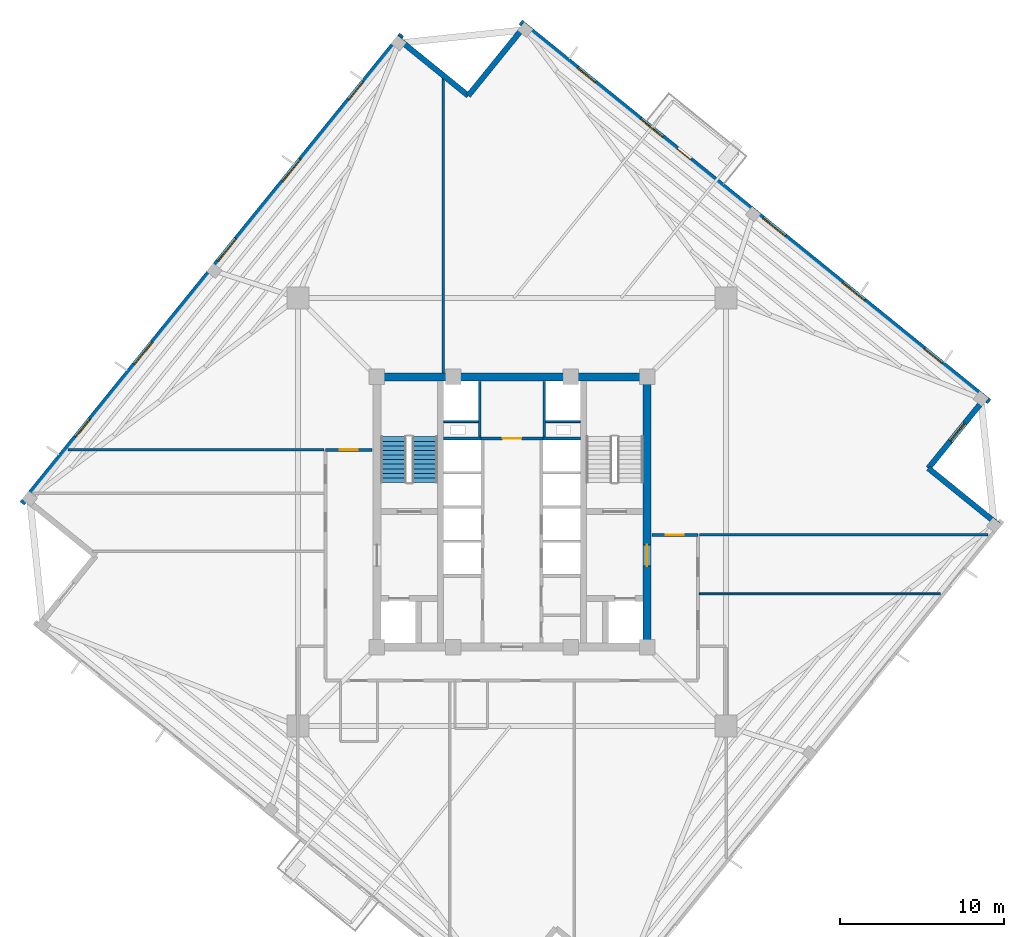
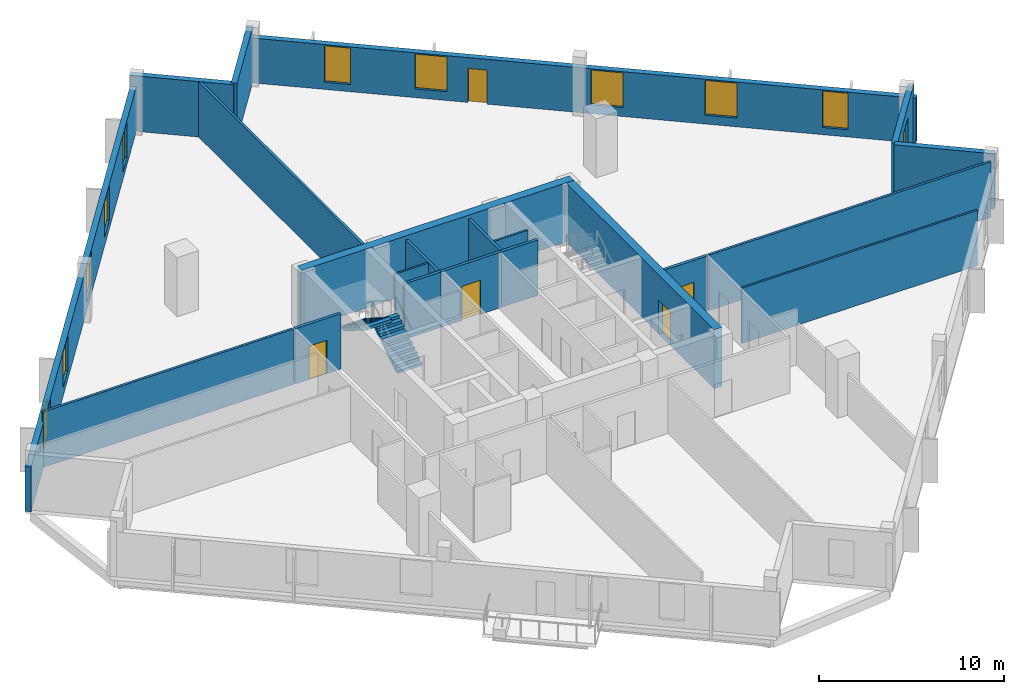
# One storey, part 5 of 10: 21 walls, 11 windows, 5 doors, 2 stair flights, 16 openings, 1 element without a shape of its own.
"""IFC4 building model written with IfcOpenShell, lengths in metres."""

from ifc_helpers import new_model, si_unit, direction, frame, frame_2d, origin, place, context, subcontext, project, spatial, polyline, rectangle, outline, extrude, source, transform, mapped, material, layer, layer_set, type_object, element, fill, aggregate, save


model = new_model("IFC4")

# Units and contexts
model_context = context("Model", 3, precision=1e-05, world=origin(), true_north=direction((0.0, 1.0)))
body_context = subcontext(model_context, "Body", "Model", "MODEL_VIEW")
ifc_project = project(units=[si_unit("LENGTHUNIT", "METRE"), si_unit("AREAUNIT", "SQUARE_METRE"), si_unit("VOLUMEUNIT", "CUBIC_METRE"), si_unit("PLANEANGLEUNIT", "RADIAN"), si_unit("MASSUNIT", "GRAM", prefix="KILO"), si_unit("THERMODYNAMICTEMPERATUREUNIT", "KELVIN")], contexts=[model_context])

# Site, building, storey
site_placement = place(None, origin())
site = spatial("IfcSite", under=ifc_project, at=site_placement, CompositionType="ELEMENT")
building_placement = place(site_placement, origin())
building = spatial("IfcBuilding", under=site, at=building_placement, Name="Kosmvard Interchange Tower", CompositionType="ELEMENT")
storey_placement = place(building_placement, frame((0.0, 0.0, 217.300048828125)))
storey = spatial("IfcBuildingStorey", under=building, at=storey_placement, Name="L52", CompositionType="ELEMENT", Elevation=217.300048828125)

# Walls
ifc_material_1 = material(Name="Acoustic gypsum partition system")
ifc_layer_1 = layer(ifc_material_1, 0.14990234375, Name="Acoustic gypsum partition system")
ifc_layer_set_1 = layer_set([ifc_layer_1], Name="Acoustic gypsum partition system")
wall_type_1 = type_object("IfcWallType", Name="Acoustic Suite & Meeting Partition 150", PredefinedType="PARTITIONING", material=ifc_layer_set_1)
wall_1_placement = place(storey_placement, frame((-4.199951171875, 8.5048828125, 0.0), z_axis=(0.0, 0.0, 1.0), x_axis=(0.0, 1.0, 0.0)))
element("IfcWall", 1, at=wall_1_placement, inside=storey, type_object=wall_type_1, Name="L52 Room Partition 01.1", PredefinedType="PARTITIONING", context=body_context, shape_type="SweptSolid", body=[
    extrude(rectangle(XDim=18.025634765625, YDim=0.14990234375, at=frame_2d((9.0126953125, 0.0))), origin(), (0.0, 0.0, 1.0), 3.659912109375),
])
wall_2_placement = place(storey_placement, frame((-27.12939453125, 3.800048828125, 0.0), z_axis=(0.0, 0.0, 1.0), x_axis=(1.0, 0.0, 0.0)))
element("IfcWall", 2, at=wall_2_placement, inside=storey, type_object=wall_type_1, Name="L52 Room Partition 03.1", PredefinedType="PARTITIONING", context=body_context, shape_type="SweptSolid", body=[
    extrude(rectangle(XDim=15.63427734375, YDim=0.14990234375, at=frame_2d((7.817138671875, 0.0))), origin(), (0.0, 0.0, 1.0), 3.659912109375),
])
wall_3_placement = place(storey_placement, frame((11.445068359375, -1.39990234375, 0.0), z_axis=(0.0, 0.0, 1.0), x_axis=(1.0, 0.0, 0.0)))
element("IfcWall", 3, at=wall_3_placement, inside=storey, type_object=wall_type_1, Name="L52 Room Partition 04.1", PredefinedType="PARTITIONING", context=body_context, shape_type="SweptSolid", body=[
    extrude(rectangle(XDim=17.6279296875, YDim=0.14990234375, at=frame_2d((8.81396484375, 0.0))), origin(), (0.0, 0.0, 1.0), 3.659912109375),
])
ifc_material_2 = material(Name="Fire-rated gypsum partition system")
ifc_layer_2 = layer(ifc_material_2, 0.159912109375, Name="Fire-rated gypsum partition system")
ifc_layer_set_2 = layer_set([ifc_layer_2], Name="Fire-rated gypsum partition system")
wall_type_2 = type_object("IfcWallType", Name="Core Compartment & Shuttle Lobby Partition 160", PredefinedType="PARTITIONING", material=ifc_layer_set_2)
for number, where, z_axis, x_axis, name in (
    (4, (-1.9599609375, 4.580078125, 0.0), (0.0, 0.0, 1.0), (0.0, 1.0, 0.0), "L52 North Core West Wall"),
    (5, (1.9599609375, 4.580078125, 0.0), (0.0, 0.0, 1.0), (0.0, 1.0, 0.0), "L52 North Core East Wall"),
):
    element("IfcWall", number, at=place(storey_placement, frame(where, z_axis=z_axis, x_axis=x_axis)), inside=storey, type_object=wall_type_2, Name=name, PredefinedType="PARTITIONING", context=body_context, shape_type="SweptSolid", body=[
        extrude(rectangle(XDim=3.39990234375, YDim=0.159912109375, at=frame_2d((1.699951171875, 0.0))), origin(), (0.0, 0.0, 1.0), 3.659912109375),
    ])

# Wall, opening, door
ifc_layer_3 = layer(ifc_material_2, 0.179931640625, Name="Fire-rated gypsum partition system")
ifc_layer_set_3 = layer_set([ifc_layer_3], Name="Fire-rated gypsum partition system")
wall_type_3 = type_object("IfcWallType", Name="Corridor & Hotel Compartment Partition 180", PredefinedType="PARTITIONING", material=ifc_layer_set_3)
wall_4_placement = place(storey_placement, frame((-1.8798828125, 4.489990234375, 0.0), z_axis=(0.0, 0.0, 1.0), x_axis=(1.0, 0.0, 0.0)))
wall_4 = element("IfcWall", 6, at=wall_4_placement, inside=storey, type_object=wall_type_3, Name="L52 Lift Lobby North Partition", PredefinedType="PARTITIONING", context=body_context, shape_type="SweptSolid", body=[
    extrude(rectangle(XDim=3.759765625, YDim=0.179931640625, at=frame_2d((1.8798828125, 0.0))), origin(), (0.0, 0.0, 1.0), 3.659912109375),
])
opening_1_placement = place(wall_4_placement, frame((1.304931640625, 0.0, 0.0)))
opening_1 = element("IfcOpeningElement", 7, at=opening_1_placement, cuts=wall_4, Name="Opening L52-KD1", PredefinedType="OPENING", context=body_context, shape_type="SweptSolid", body=[
    extrude(rectangle(XDim=1.14990234375, YDim=2.25, at=frame_2d((0.574951171875, 1.125))), frame((0.0, 0.10009765625, 0.0), z_axis=(0.0, -1.0, 0.0), x_axis=(1.0, 0.0, 0.0)), (0.0, 0.0, 1.0), 0.199951171875),
])
ifc_material_3 = material(Name="Painted fire-rated steel leaf", Category="steel")
door_type_1 = type_object("IfcDoorType", Name="Plant & Riser Fire Door 1150x2250 EI60", OperationType="NOTDEFINED", PredefinedType="DOOR", material=ifc_material_3)
shared_shape_1 = source(origin(), body_context, "Body", "SweptSolid", [
    extrude(rectangle(XDim=1.14990234375, YDim=2.25, at=frame_2d((0.574951171875, 1.125))), frame((0.0, 0.02490234375, 0.0), z_axis=(0.0, -1.0, 0.0), x_axis=(1.0, 0.0, 0.0)), (0.0, 0.0, 1.0), 0.050048828125),
])
door_1_placement = place(opening_1_placement, origin())
door_1 = element("IfcDoor", 8, at=door_1_placement, inside=storey, type_object=door_type_1, Name="L52 Core IT Room Door", OperationType="SINGLE_SWING_LEFT", OverallHeight=2.25, OverallWidth=1.14990234375, PredefinedType="DOOR", context=body_context, shape_type="MappedRepresentation", body=[
    mapped(shared_shape_1, transform((0.0, 0.0, 0.0), scale=1.0)),
])
fill(opening_1, door_1)

wall_5_placement = place(storey_placement, frame((-11.39990234375, 3.800048828125, 0.0), z_axis=(0.0, 0.0, 1.0), x_axis=(1.0, 0.0, 0.0)))
wall_5 = element("IfcWall", 9, at=wall_5_placement, inside=storey, type_object=wall_type_3, Name="L52 Corridor Wall CNW", PredefinedType="PARTITIONING", context=body_context, shape_type="SweptSolid", body=[
    extrude(rectangle(XDim=2.849853515625, YDim=0.179931640625, at=frame_2d((1.4248046875, 0.0))), origin(), (0.0, 0.0, 1.0), 3.659912109375),
])
opening_2_placement = place(wall_5_placement, frame((0.875, 0.0, 0.0)))
opening_2 = element("IfcOpeningElement", 10, at=opening_2_placement, cuts=wall_5, Name="Opening L52-D04", PredefinedType="OPENING", context=body_context, shape_type="SweptSolid", body=[
    extrude(rectangle(XDim=1.10009765625, YDim=2.199951171875, at=frame_2d((0.550048828125, 1.10009765625))), frame((0.0, 0.10009765625, 0.0), z_axis=(0.0, -1.0, 0.0), x_axis=(1.0, 0.0, 0.0)), (0.0, 0.0, 1.0), 0.199951171875),
])
ifc_material_4 = material(Name="Engineered oak fire-rated timber", Category="wood")
door_type_2 = type_object("IfcDoorType", Name="Office Suite Entrance Door 1100x2200 FD30S", OperationType="NOTDEFINED", PredefinedType="DOOR", material=ifc_material_4)
shared_shape_2 = source(origin(), body_context, "Body", "SweptSolid", [
    extrude(rectangle(XDim=1.10009765625, YDim=2.199951171875, at=frame_2d((0.550048828125, 1.10009765625))), frame((0.0, 0.02490234375, 0.0), z_axis=(0.0, -1.0, 0.0), x_axis=(1.0, 0.0, 0.0)), (0.0, 0.0, 1.0), 0.050048828125),
])
door_2_placement = place(opening_2_placement, origin())
door_2 = element("IfcDoor", 11, at=door_2_placement, inside=storey, type_object=door_type_2, Name="L52 Sky Business Members Club Door", OperationType="SINGLE_SWING_RIGHT", OverallHeight=2.199951171875, OverallWidth=1.10009765625, PredefinedType="DOOR", context=body_context, shape_type="MappedRepresentation", body=[
    mapped(shared_shape_2, transform((0.0, 0.0, 0.0), scale=1.0)),
])
fill(opening_2, door_2)

wall_6_placement = place(storey_placement, frame((8.550048828125, -1.39990234375, 0.0), z_axis=(0.0, 0.0, 1.0), x_axis=(1.0, 0.0, 0.0)))
wall_6 = element("IfcWall", 12, at=wall_6_placement, inside=storey, type_object=wall_type_3, Name="L52 Corridor Wall CNE", PredefinedType="PARTITIONING", context=body_context, shape_type="SweptSolid", body=[
    extrude(rectangle(XDim=2.800048828125, YDim=0.179931640625, at=frame_2d((1.39990234375, 0.0))), origin(), (0.0, 0.0, 1.0), 3.659912109375),
])
opening_3_placement = place(wall_6_placement, frame((0.85009765625, 0.0, 0.0)))
opening_3 = element("IfcOpeningElement", 13, at=opening_3_placement, cuts=wall_6, Name="Opening L52-D05", PredefinedType="OPENING", context=body_context, shape_type="SweptSolid", body=[
    extrude(rectangle(XDim=1.10009765625, YDim=2.199951171875, at=frame_2d((0.550048828125, 1.10009765625))), frame((0.0, 0.10009765625, 0.0), z_axis=(0.0, -1.0, 0.0), x_axis=(1.0, 0.0, 0.0)), (0.0, 0.0, 1.0), 0.199951171875),
])
door_3_placement = place(opening_3_placement, origin())
door_3 = element("IfcDoor", 14, at=door_3_placement, inside=storey, type_object=door_type_2, Name="L52 North-East Private Wealth Workplace Door", OperationType="SINGLE_SWING_LEFT", OverallHeight=2.199951171875, OverallWidth=1.10009765625, PredefinedType="DOOR", context=body_context, shape_type="MappedRepresentation", body=[
    mapped(shared_shape_2, transform((0.0, 0.0, 0.0), scale=1.0)),
])
fill(opening_3, door_3)

# Wall
ifc_material_5 = material(Name="Precast concrete C45/55", Category="concrete")
ifc_layer_4 = layer(ifc_material_5, 0.340087890625, Name="Precast concrete C45/55")
ifc_layer_set_4 = layer_set([ifc_layer_4], Name="Precast concrete C45/55")
wall_type_4 = type_object("IfcWallType", Name="Mid Tower Precast Pier Wall 340 C45/55", PredefinedType="STANDARD", material=ifc_layer_set_4)
wall_7_placement = place(storey_placement, frame((29.703125, -0.78857421875, 0.0), z_axis=(0.0, 0.0, 1.0), x_axis=(-0.77714355312, 0.629323365087, 0.0)))
element("IfcWall", 15, at=wall_7_placement, inside=storey, type_object=wall_type_4, Name="L52 Precast Facade Wall N-SE1", PredefinedType="STANDARD", context=body_context, shape_type="SweptSolid", body=[
    extrude(rectangle(XDim=5.499755859375, YDim=0.340087890625, at=frame_2d((2.75, 0.0))), origin(), (0.0, 0.0, 1.0), 3.659912109375),
])

# Wall, opening, window
wall_8_placement = place(storey_placement, frame((25.428955078125, 2.672607421875, 0.0), z_axis=(0.0, 0.0, 1.0), x_axis=(0.629299794138, 0.777162640055, 0.0)))
wall_8 = element("IfcWall", 16, at=wall_8_placement, inside=storey, type_object=wall_type_4, Name="L52 Precast Facade Wall N-SE2", PredefinedType="STANDARD", context=body_context, shape_type="SweptSolid", body=[
    extrude(rectangle(XDim=5.669921875, YDim=0.340087890625, at=frame_2d((2.8349609375, 0.0))), origin(), (0.0, 0.0, 1.0), 3.659912109375),
])
opening_4_placement = place(wall_8_placement, frame((2.135009765625, 0.0, 0.47998046875)))
opening_4 = element("IfcOpeningElement", 17, at=opening_4_placement, cuts=wall_8, Name="Opening L52-W21", PredefinedType="OPENING", context=body_context, shape_type="SweptSolid", body=[
    extrude(rectangle(XDim=1.39990234375, YDim=2.39990234375, at=frame_2d((0.699951171875, 1.199951171875))), frame((0.0, 0.18017578125, 0.0), z_axis=(0.0, -1.0, 0.0), x_axis=(1.0, 0.0, 0.0)), (0.0, 0.0, 1.0), 0.360107421875),
])
ifc_material_6 = material(Name="Low-E solar-control double glazing", Category="glass")
window_type_1 = type_object("IfcWindowType", Name="Notched Corner Feature Window 1400x2400", PartitioningType="SINGLE_PANEL", PredefinedType="WINDOW", material=ifc_material_6)
shared_shape_3 = source(origin(), body_context, "Body", "SweptSolid", [
    extrude(rectangle(XDim=1.39990234375, YDim=2.39990234375, at=frame_2d((0.699951171875, 1.199951171875))), frame((0.0, 0.030029296875, 0.0), z_axis=(0.0, -1.0, 0.0), x_axis=(1.0, 0.0, 0.0)), (0.0, 0.0, 1.0), 0.06005859375),
])
window_1_placement = place(opening_4_placement, origin())
window_1 = element("IfcWindow", 18, at=window_1_placement, inside=storey, type_object=window_type_1, Name="L52 Corner Notch Window 21", OverallHeight=2.39990234375, OverallWidth=1.39990234375, PartitioningType="SINGLE_PANEL", PredefinedType="WINDOW", context=body_context, shape_type="MappedRepresentation", body=[
    mapped(shared_shape_3, transform((0.0, 0.0, 0.0), scale=1.0)),
])
fill(opening_4, window_1)

# Wall, openings, door, windows
wall_9_placement = place(storey_placement, frame((29.154296875, 6.73291015625, 0.0), z_axis=(0.0, 0.0, 1.0), x_axis=(-0.77714192302, 0.629325378072, 0.0)))
wall_9 = element("IfcWall", 19, at=wall_9_placement, inside=storey, type_object=wall_type_4, Name="L52 Precast Facade Wall F-E", PredefinedType="STANDARD", context=body_context, shape_type="SweptSolid", body=[
    extrude(rectangle(XDim=36.840087890625, YDim=0.340087890625, at=frame_2d((18.419921875, 0.0))), origin(), (0.0, 0.0, 1.0), 2.9599609375),
])
opening_5_placement = place(wall_9_placement, frame((23.4951171875, 0.0, 0.0)))
opening_5 = element("IfcOpeningElement", 20, at=opening_5_placement, cuts=wall_9, Name="Opening L52-BDE", PredefinedType="OPENING", context=body_context, shape_type="SweptSolid", body=[
    extrude(rectangle(XDim=1.050048828125, YDim=2.25, at=frame_2d((0.52490234375, 1.125))), frame((0.0, 0.18017578125, 0.0), z_axis=(0.0, -1.0, 0.0), x_axis=(1.0, 0.0, 0.0)), (0.0, 0.0, 1.0), 0.360107421875),
])
opening_6_placement = place(wall_9_placement, frame((3.720703125, 0.0, 0.47998046875)))
opening_6 = element("IfcOpeningElement", 21, at=opening_6_placement, cuts=wall_9, Name="Opening L52-W06", PredefinedType="OPENING", context=body_context, shape_type="SweptSolid", body=[
    extrude(rectangle(XDim=1.39990234375, YDim=2.39990234375, at=frame_2d((0.699951171875, 1.199951171875))), frame((0.0, 0.18017578125, 0.0), z_axis=(0.0, -1.0, 0.0), x_axis=(1.0, 0.0, 0.0)), (0.0, 0.0, 1.0), 0.360107421875),
])
opening_7_placement = place(wall_9_placement, frame((9.80859375, 0.0, 0.580078125)))
opening_7 = element("IfcOpeningElement", 22, at=opening_7_placement, cuts=wall_9, Name="Opening L52-W07", PredefinedType="OPENING", context=body_context, shape_type="SweptSolid", body=[
    extrude(rectangle(XDim=1.75, YDim=2.300048828125, at=frame_2d((0.875, 1.14990234375))), frame((0.0, 0.18017578125, 0.0), z_axis=(0.0, -1.0, 0.0), x_axis=(1.0, 0.0, 0.0)), (0.0, 0.0, 1.0), 0.360107421875),
])
opening_8_placement = place(wall_9_placement, frame((16.05810546875, 0.0, 0.580078125)))
opening_8 = element("IfcOpeningElement", 23, at=opening_8_placement, cuts=wall_9, Name="Opening L52-W08", PredefinedType="OPENING", context=body_context, shape_type="SweptSolid", body=[
    extrude(rectangle(XDim=1.75, YDim=2.300048828125, at=frame_2d((0.875, 1.14990234375))), frame((0.0, 0.18017578125, 0.0), z_axis=(0.0, -1.0, 0.0), x_axis=(1.0, 0.0, 0.0)), (0.0, 0.0, 1.0), 0.360107421875),
])
opening_9_placement = place(wall_9_placement, frame((25.67626953125, 0.0, 0.580078125)))
opening_9 = element("IfcOpeningElement", 24, at=opening_9_placement, cuts=wall_9, Name="Opening L52-W09", PredefinedType="OPENING", context=body_context, shape_type="SweptSolid", body=[
    extrude(rectangle(XDim=1.75, YDim=2.300048828125, at=frame_2d((0.875, 1.14990234375))), frame((0.0, 0.18017578125, 0.0), z_axis=(0.0, -1.0, 0.0), x_axis=(1.0, 0.0, 0.0)), (0.0, 0.0, 1.0), 0.360107421875),
])
opening_10_placement = place(wall_9_placement, frame((30.982421875, 0.0, 0.47998046875)))
opening_10 = element("IfcOpeningElement", 25, at=opening_10_placement, cuts=wall_9, Name="Opening L52-W10", PredefinedType="OPENING", context=body_context, shape_type="SweptSolid", body=[
    extrude(rectangle(XDim=1.39990234375, YDim=2.39990234375, at=frame_2d((0.699951171875, 1.199951171875))), frame((0.0, 0.18017578125, 0.0), z_axis=(0.0, -1.0, 0.0), x_axis=(1.0, 0.0, 0.0)), (0.0, 0.0, 1.0), 0.360107421875),
])
ifc_material_7 = material(Name="Anodised aluminium and safety glass", Category="aluminium")
door_type_3 = type_object("IfcDoorType", Name="Tree-Balcony Glazed Door 1050x2250", OperationType="NOTDEFINED", PredefinedType="DOOR", material=ifc_material_7)
shared_shape_4 = source(origin(), body_context, "Body", "SweptSolid", [
    extrude(rectangle(XDim=1.050048828125, YDim=2.25, at=frame_2d((0.52490234375, 1.125))), frame((0.0, 0.02490234375, 0.0), z_axis=(0.0, -1.0, 0.0), x_axis=(1.0, 0.0, 0.0)), (0.0, 0.0, 1.0), 0.050048828125),
])
door_4_placement = place(opening_5_placement, origin())
door_4 = element("IfcDoor", 26, at=door_4_placement, inside=storey, type_object=door_type_3, Name="L52 Tree-Balcony Door BAL-L52-E", OperationType="SINGLE_SWING_LEFT", OverallHeight=2.25, OverallWidth=1.050048828125, PredefinedType="DOOR", context=body_context, shape_type="MappedRepresentation", body=[
    mapped(shared_shape_4, transform((0.0, 0.0, 0.0), scale=1.0)),
])
fill(opening_5, door_4)
window_2_placement = place(opening_6_placement, origin())
window_2 = element("IfcWindow", 27, at=window_2_placement, inside=storey, type_object=window_type_1, Name="L52 Facade Punched Window 06", OverallHeight=2.39990234375, OverallWidth=1.39990234375, PartitioningType="SINGLE_PANEL", PredefinedType="WINDOW", context=body_context, shape_type="MappedRepresentation", body=[
    mapped(shared_shape_3, transform((0.0, 0.0, 0.0), scale=1.0)),
])
fill(opening_6, window_2)
window_3_placement = place(opening_10_placement, origin())
window_3 = element("IfcWindow", 28, at=window_3_placement, inside=storey, type_object=window_type_1, Name="L52 Facade Punched Window 10", OverallHeight=2.39990234375, OverallWidth=1.39990234375, PartitioningType="SINGLE_PANEL", PredefinedType="WINDOW", context=body_context, shape_type="MappedRepresentation", body=[
    mapped(shared_shape_3, transform((0.0, 0.0, 0.0), scale=1.0)),
])
fill(opening_10, window_3)
window_type_2 = type_object("IfcWindowType", Name="Zone 4 Suite Punched Window 1750x2300", PartitioningType="SINGLE_PANEL", PredefinedType="WINDOW", material=ifc_material_6)
shared_shape_5 = source(origin(), body_context, "Body", "SweptSolid", [
    extrude(rectangle(XDim=1.75, YDim=2.300048828125, at=frame_2d((0.875, 1.14990234375))), frame((0.0, 0.030029296875, 0.0), z_axis=(0.0, -1.0, 0.0), x_axis=(1.0, 0.0, 0.0)), (0.0, 0.0, 1.0), 0.06005859375),
])
window_4_placement = place(opening_7_placement, origin())
window_4 = element("IfcWindow", 29, at=window_4_placement, inside=storey, type_object=window_type_2, Name="L52 Facade Punched Window 07", OverallHeight=2.300048828125, OverallWidth=1.75, PartitioningType="SINGLE_PANEL", PredefinedType="WINDOW", context=body_context, shape_type="MappedRepresentation", body=[
    mapped(shared_shape_5, transform((0.0, 0.0, 0.0), scale=1.0)),
])
fill(opening_7, window_4)
window_5_placement = place(opening_8_placement, origin())
window_5 = element("IfcWindow", 30, at=window_5_placement, inside=storey, type_object=window_type_2, Name="L52 Facade Punched Window 08", OverallHeight=2.300048828125, OverallWidth=1.75, PartitioningType="SINGLE_PANEL", PredefinedType="WINDOW", context=body_context, shape_type="MappedRepresentation", body=[
    mapped(shared_shape_5, transform((0.0, 0.0, 0.0), scale=1.0)),
])
fill(opening_8, window_5)
window_6_placement = place(opening_9_placement, origin())
window_6 = element("IfcWindow", 31, at=window_6_placement, inside=storey, type_object=window_type_2, Name="L52 Facade Punched Window 09", OverallHeight=2.300048828125, OverallWidth=1.75, PartitioningType="SINGLE_PANEL", PredefinedType="WINDOW", context=body_context, shape_type="MappedRepresentation", body=[
    mapped(shared_shape_5, transform((0.0, 0.0, 0.0), scale=1.0)),
])
fill(opening_9, window_6)

# Walls
wall_10_placement = place(storey_placement, frame((0.78857421875, 29.703125, 0.0), z_axis=(0.0, 0.0, 1.0), x_axis=(-0.629323365087, -0.77714355312, 0.0)))
element("IfcWall", 32, at=wall_10_placement, inside=storey, type_object=wall_type_4, Name="L52 Precast Facade Wall N-NE1", PredefinedType="STANDARD", context=body_context, shape_type="SweptSolid", body=[
    extrude(rectangle(XDim=5.499755859375, YDim=0.340087890625, at=frame_2d((2.75, 0.0))), origin(), (0.0, 0.0, 1.0), 3.659912109375),
])
wall_11_placement = place(storey_placement, frame((-2.672607421875, 25.428955078125, 0.0), z_axis=(0.0, 0.0, 1.0), x_axis=(-0.777162640055, 0.629299794138, 0.0)))
element("IfcWall", 33, at=wall_11_placement, inside=storey, type_object=wall_type_4, Name="L52 Precast Facade Wall N-NE2", PredefinedType="STANDARD", context=body_context, shape_type="SweptSolid", body=[
    extrude(rectangle(XDim=5.669921875, YDim=0.340087890625, at=frame_2d((2.8349609375, 0.0))), origin(), (0.0, 0.0, 1.0), 3.659912109375),
])

# Wall, openings, windows
wall_12_placement = place(storey_placement, frame((-6.73291015625, 29.154296875, 0.0), z_axis=(0.0, 0.0, 1.0), x_axis=(-0.629325378072, -0.77714192302, 0.0)))
wall_12 = element("IfcWall", 34, at=wall_12_placement, inside=storey, type_object=wall_type_4, Name="L52 Precast Facade Wall F-N", PredefinedType="STANDARD", context=body_context, shape_type="SweptSolid", body=[
    extrude(rectangle(XDim=36.840087890625, YDim=0.340087890625, at=frame_2d((18.419921875, 0.0))), origin(), (0.0, 0.0, 1.0), 2.9599609375),
])
opening_11_placement = place(wall_12_placement, frame((3.720703125, 0.0, 0.47998046875)))
opening_11 = element("IfcOpeningElement", 35, at=opening_11_placement, cuts=wall_12, Name="Opening L52-W11", PredefinedType="OPENING", context=body_context, shape_type="SweptSolid", body=[
    extrude(rectangle(XDim=1.39990234375, YDim=2.39990234375, at=frame_2d((0.699951171875, 1.199951171875))), frame((0.0, 0.18017578125, 0.0), z_axis=(0.0, -1.0, 0.0), x_axis=(1.0, 0.0, 0.0)), (0.0, 0.0, 1.0), 0.360107421875),
])
opening_12_placement = place(wall_12_placement, frame((9.80859375, 0.0, 0.580078125)))
opening_12 = element("IfcOpeningElement", 36, at=opening_12_placement, cuts=wall_12, Name="Opening L52-W12", PredefinedType="OPENING", context=body_context, shape_type="SweptSolid", body=[
    extrude(rectangle(XDim=1.75, YDim=2.300048828125, at=frame_2d((0.875, 1.14990234375))), frame((0.0, 0.18017578125, 0.0), z_axis=(0.0, -1.0, 0.0), x_axis=(1.0, 0.0, 0.0)), (0.0, 0.0, 1.0), 0.360107421875),
])
opening_13_placement = place(wall_12_placement, frame((16.05810546875, 0.0, 0.580078125)))
opening_13 = element("IfcOpeningElement", 37, at=opening_13_placement, cuts=wall_12, Name="Opening L52-W13", PredefinedType="OPENING", context=body_context, shape_type="SweptSolid", body=[
    extrude(rectangle(XDim=1.75, YDim=2.300048828125, at=frame_2d((0.875, 1.14990234375))), frame((0.0, 0.18017578125, 0.0), z_axis=(0.0, -1.0, 0.0), x_axis=(1.0, 0.0, 0.0)), (0.0, 0.0, 1.0), 0.360107421875),
])
opening_14_placement = place(wall_12_placement, frame((24.17626953125, 0.0, 0.580078125)))
opening_14 = element("IfcOpeningElement", 38, at=opening_14_placement, cuts=wall_12, Name="Opening L52-W14", PredefinedType="OPENING", context=body_context, shape_type="SweptSolid", body=[
    extrude(rectangle(XDim=1.75, YDim=2.300048828125, at=frame_2d((0.875, 1.14990234375))), frame((0.0, 0.18017578125, 0.0), z_axis=(0.0, -1.0, 0.0), x_axis=(1.0, 0.0, 0.0)), (0.0, 0.0, 1.0), 0.360107421875),
])
opening_15_placement = place(wall_12_placement, frame((30.232421875, 0.0, 0.47998046875)))
opening_15 = element("IfcOpeningElement", 39, at=opening_15_placement, cuts=wall_12, Name="Opening L52-W15", PredefinedType="OPENING", context=body_context, shape_type="SweptSolid", body=[
    extrude(rectangle(XDim=1.39990234375, YDim=2.39990234375, at=frame_2d((0.699951171875, 1.199951171875))), frame((0.0, 0.18017578125, 0.0), z_axis=(0.0, -1.0, 0.0), x_axis=(1.0, 0.0, 0.0)), (0.0, 0.0, 1.0), 0.360107421875),
])
window_7_placement = place(opening_11_placement, origin())
window_7 = element("IfcWindow", 40, at=window_7_placement, inside=storey, type_object=window_type_1, Name="L52 Facade Punched Window 11", OverallHeight=2.39990234375, OverallWidth=1.39990234375, PartitioningType="SINGLE_PANEL", PredefinedType="WINDOW", context=body_context, shape_type="MappedRepresentation", body=[
    mapped(shared_shape_3, transform((0.0, 0.0, 0.0), scale=1.0)),
])
fill(opening_11, window_7)
window_8_placement = place(opening_15_placement, origin())
window_8 = element("IfcWindow", 41, at=window_8_placement, inside=storey, type_object=window_type_1, Name="L52 Facade Punched Window 15", OverallHeight=2.39990234375, OverallWidth=1.39990234375, PartitioningType="SINGLE_PANEL", PredefinedType="WINDOW", context=body_context, shape_type="MappedRepresentation", body=[
    mapped(shared_shape_3, transform((0.0, 0.0, 0.0), scale=1.0)),
])
fill(opening_15, window_8)
window_9_placement = place(opening_12_placement, origin())
window_9 = element("IfcWindow", 42, at=window_9_placement, inside=storey, type_object=window_type_2, Name="L52 Facade Punched Window 12", OverallHeight=2.300048828125, OverallWidth=1.75, PartitioningType="SINGLE_PANEL", PredefinedType="WINDOW", context=body_context, shape_type="MappedRepresentation", body=[
    mapped(shared_shape_5, transform((0.0, 0.0, 0.0), scale=1.0)),
])
fill(opening_12, window_9)
window_10_placement = place(opening_13_placement, origin())
window_10 = element("IfcWindow", 43, at=window_10_placement, inside=storey, type_object=window_type_2, Name="L52 Facade Punched Window 13", OverallHeight=2.300048828125, OverallWidth=1.75, PartitioningType="SINGLE_PANEL", PredefinedType="WINDOW", context=body_context, shape_type="MappedRepresentation", body=[
    mapped(shared_shape_5, transform((0.0, 0.0, 0.0), scale=1.0)),
])
fill(opening_13, window_10)
window_11_placement = place(opening_14_placement, origin())
window_11 = element("IfcWindow", 44, at=window_11_placement, inside=storey, type_object=window_type_2, Name="L52 Facade Punched Window 14", OverallHeight=2.300048828125, OverallWidth=1.75, PartitioningType="SINGLE_PANEL", PredefinedType="WINDOW", context=body_context, shape_type="MappedRepresentation", body=[
    mapped(shared_shape_5, transform((0.0, 0.0, 0.0), scale=1.0)),
])
fill(opening_14, window_11)

# Walls
ifc_material_8 = material(Name="Gypsum board partition system")
ifc_layer_5 = layer(ifc_material_8, 0.1201171875, Name="Gypsum board partition system")
ifc_layer_set_5 = layer_set([ifc_layer_5], Name="Gypsum board partition system")
wall_type_5 = type_object("IfcWallType", Name="Office Cellular Partition 120", PredefinedType="PARTITIONING", material=ifc_layer_set_5)
wall_13_placement = place(storey_placement, frame((11.445068359375, -5.0, 0.0), z_axis=(0.0, 0.0, 1.0), x_axis=(1.0, 0.0, 0.0)))
element("IfcWall", 45, at=wall_13_placement, inside=storey, type_object=wall_type_5, Name="L52 Room Partition 12.1", PredefinedType="PARTITIONING", context=body_context, shape_type="SweptSolid", body=[
    extrude(rectangle(XDim=14.712646484375, YDim=0.1201171875, at=frame_2d((7.3564453125, 0.0))), origin(), (0.0, 0.0, 1.0), 3.659912109375),
])
ifc_material_9 = material(Name="Concrete blockwork masonry", Category="masonry")
ifc_layer_6 = layer(ifc_material_9, 0.179931640625, Name="Concrete blockwork masonry")
ifc_layer_set_6 = layer_set([ifc_layer_6], Name="Concrete blockwork masonry")
wall_type_6 = type_object("IfcWallType", Name="Riser & Lift Bank Divider Wall 180", PredefinedType="PARTITIONING", material=ifc_layer_set_6)
for number, where, z_axis, x_axis, name in (
    (46, (-4.169921875, 4.489990234375, 0.0), (0.0, 0.0, 1.0), (1.0, 0.0, 0.0), "L52 West Bank Divider BD3"),
    (47, (1.889892578125, 4.489990234375, 0.0), (0.0, 0.0, 1.0), (1.0, 0.0, 0.0), "L52 East Bank Divider BD3"),
):
    element("IfcWall", number, at=place(storey_placement, frame(where, z_axis=z_axis, x_axis=x_axis)), inside=storey, type_object=wall_type_6, Name=name, PredefinedType="PARTITIONING", context=body_context, shape_type="SweptSolid", body=[
        extrude(rectangle(XDim=2.280029296875, YDim=0.179931640625, at=frame_2d((1.14013671875, 0.0))), origin(), (0.0, 0.0, 1.0), 3.659912109375),
    ])
ifc_material_10 = material(Name="Fire-rated gypsum shaftwall system")
ifc_layer_7 = layer(ifc_material_10, 0.1201171875, Name="Fire-rated gypsum shaftwall system")
ifc_layer_set_7 = layer_set([ifc_layer_7], Name="Fire-rated gypsum shaftwall system")
wall_type_7 = type_object("IfcWallType", Name="Shaft & Riser Fire Partition 120 EI60", PredefinedType="PARTITIONING", material=ifc_layer_set_7)
for number, where, z_axis, x_axis, name in (
    (48, (-4.159912109375, 5.52001953125, 0.0), (0.0, 0.0, 1.0), (1.0, 0.0, 0.0), "L52 Riser Shaft Divider W"),
    (49, (2.06005859375, 5.52001953125, 0.0), (0.0, 0.0, 1.0), (1.0, 0.0, 0.0), "L52 Riser Shaft Divider E"),
):
    element("IfcWall", number, at=place(storey_placement, frame(where, z_axis=z_axis, x_axis=x_axis)), inside=storey, type_object=wall_type_7, Name=name, PredefinedType="PARTITIONING", context=body_context, shape_type="SweptSolid", body=[
        extrude(rectangle(XDim=2.099853515625, YDim=0.1201171875, at=frame_2d((1.0498046875, 0.0))), origin(), (0.0, 0.0, 1.0), 3.659912109375),
    ])
ifc_material_11 = material(Name="Concrete C60/75", Category="concrete")
ifc_layer_8 = layer(ifc_material_11, 0.5, Name="Concrete C60/75")
ifc_layer_set_8 = layer_set([ifc_layer_8], Name="Concrete C60/75")
wall_type_8 = type_object("IfcWallType", Name="Upper Core Shear Wall 500 C60/75", PredefinedType="SHEAR", material=ifc_layer_set_8)
wall_14_placement = place(storey_placement, frame((-8.5, 8.25, 0.0), z_axis=(0.0, 0.0, 1.0), x_axis=(1.0, 0.0, 0.0)))
element("IfcWall", 50, at=wall_14_placement, inside=storey, type_object=wall_type_8, Name="L52 Core Shear Wall CW-N", PredefinedType="SHEAR", context=body_context, shape_type="SweptSolid", body=[
    extrude(rectangle(XDim=17.0, YDim=0.5, at=frame_2d((8.5, 0.0))), origin(), (0.0, 0.0, 1.0), 3.89990234375),
])

# Wall, opening, door
wall_15_placement = place(storey_placement, frame((8.25, -8.0, 0.0), z_axis=(0.0, 0.0, 1.0), x_axis=(0.0, 1.0, 0.0)))
wall_15 = element("IfcWall", 51, at=wall_15_placement, inside=storey, type_object=wall_type_8, Name="L52 Core Shear Wall CW-E", PredefinedType="SHEAR", context=body_context, shape_type="SweptSolid", body=[
    extrude(rectangle(XDim=16.0, YDim=0.5, at=frame_2d((8.0, 0.0))), origin(), (0.0, 0.0, 1.0), 3.89990234375),
])
opening_16_placement = place(wall_15_placement, frame((4.68994140625, 0.0, 0.0)))
opening_16 = element("IfcOpeningElement", 52, at=opening_16_placement, cuts=wall_15, Name="Opening L52-FD2", PredefinedType="OPENING", context=body_context, shape_type="SweptSolid", body=[
    extrude(rectangle(XDim=1.300048828125, YDim=2.199951171875, at=frame_2d((0.64990234375, 1.10009765625))), frame((0.0, 0.260009765625, 0.0), z_axis=(0.0, -1.0, 0.0), x_axis=(1.0, 0.0, 0.0)), (0.0, 0.0, 1.0), 0.52001953125),
])
door_type_4 = type_object("IfcDoorType", Name="Firefighting Lobby Door 1300x2200 EI60", OperationType="NOTDEFINED", PredefinedType="DOOR", material=ifc_material_3)
shared_shape_6 = source(origin(), body_context, "Body", "SweptSolid", [
    extrude(rectangle(XDim=1.300048828125, YDim=2.199951171875, at=frame_2d((0.64990234375, 1.10009765625))), frame((0.0, 0.02490234375, 0.0), z_axis=(0.0, -1.0, 0.0), x_axis=(1.0, 0.0, 0.0)), (0.0, 0.0, 1.0), 0.050048828125),
])
door_5_placement = place(opening_16_placement, origin())
door_5 = element("IfcDoor", 53, at=door_5_placement, inside=storey, type_object=door_type_4, Name="L52 Firefighting Lobby East Door", OperationType="SINGLE_SWING_RIGHT", OverallHeight=2.199951171875, OverallWidth=1.300048828125, PredefinedType="DOOR", context=body_context, shape_type="MappedRepresentation", body=[
    mapped(shared_shape_6, transform((0.0, 0.0, 0.0), scale=1.0)),
])
fill(opening_16, door_5)

# Stair, stair flights
ifc_material_12 = material(Name="Concrete C50/60", Category="concrete")
stair_type = type_object("IfcStairType", Name="Dog-Leg Core Exit Stair H3900 C50/60", PredefinedType="HALF_TURN_STAIR", material=ifc_material_12)
stair_placement = place(storey_placement, origin())
stair = element("IfcStair", 54, at=stair_placement, inside=storey, type_object=stair_type, Name="L52 Protected Exit Stair ST-1", PredefinedType="HALF_TURN_STAIR")
stair_flight_type = type_object("IfcStairFlightType", Name="Core Stair Flight W1550 H3900 C50/60", PredefinedType="STRAIGHT", material=ifc_material_12)
shared_shape_7 = source(origin(), body_context, "Body", "SweptSolid", [
    extrude(outline(polyline([(0.0, 0.0), (0.0, 0.17724609375), (0.280029296875, 0.17724609375), (0.280029296875, 0.3544921875), (0.56005859375, 0.3544921875), (0.56005859375, 0.53173828125), (0.840087890625, 0.53173828125), (0.840087890625, 0.708984375), (1.1201171875, 0.708984375), (1.1201171875, 0.886474609375), (1.39990234375, 0.886474609375), (1.39990234375, 1.063720703125), (1.679931640625, 1.063720703125), (1.679931640625, 1.240966796875), (1.9599609375, 1.240966796875), (1.9599609375, 1.418212890625), (2.239990234375, 1.418212890625), (2.239990234375, 1.595458984375), (2.52001953125, 1.595458984375), (2.52001953125, 1.772705078125), (2.800048828125, 1.772705078125), (2.800048828125, 1.949951171875), (2.800048828125, 1.58349609375), (0.298828125, 0.0), (0.0, 0.0)])), frame((0.0, 0.77490234375, 0.0), z_axis=(0.0, -1.0, 0.0), x_axis=(1.0, 0.0, 0.0)), (0.0, 0.0, 1.0), 1.550048828125),
])
stair_flight_1_placement = place(storey_placement, frame((-5.31494140625, 1.800048828125, 0.0), z_axis=(0.0, 0.0, 1.0), x_axis=(0.0, 1.0, 0.0)))
stair_flight_1 = element("IfcStairFlight", 55, at=stair_flight_1_placement, type_object=stair_flight_type, Name="ST-1 flight 1", NumberOfRisers=11, NumberOfTreads=10, PredefinedType="STRAIGHT", RiserHeight=0.177272727, TreadLength=0.28, context=body_context, shape_type="MappedRepresentation", body=[
    mapped(shared_shape_7, transform((0.0, 0.0, 0.0), scale=1.0)),
])
stair_flight_2_placement = place(storey_placement, frame((-7.22509765625, 4.60009765625, 1.949951171875), z_axis=(0.0, 0.0, 1.0), x_axis=(0.0, -1.0, 0.0)))
stair_flight_2 = element("IfcStairFlight", 56, at=stair_flight_2_placement, type_object=stair_flight_type, Name="ST-1 flight 2", NumberOfRisers=11, NumberOfTreads=10, PredefinedType="STRAIGHT", RiserHeight=0.177272727, TreadLength=0.28, context=body_context, shape_type="MappedRepresentation", body=[
    mapped(shared_shape_7, transform((0.0, 0.0, 0.0), scale=1.0)),
])
aggregate(stair, [stair_flight_1, stair_flight_2])

save(model, "model.ifc")
